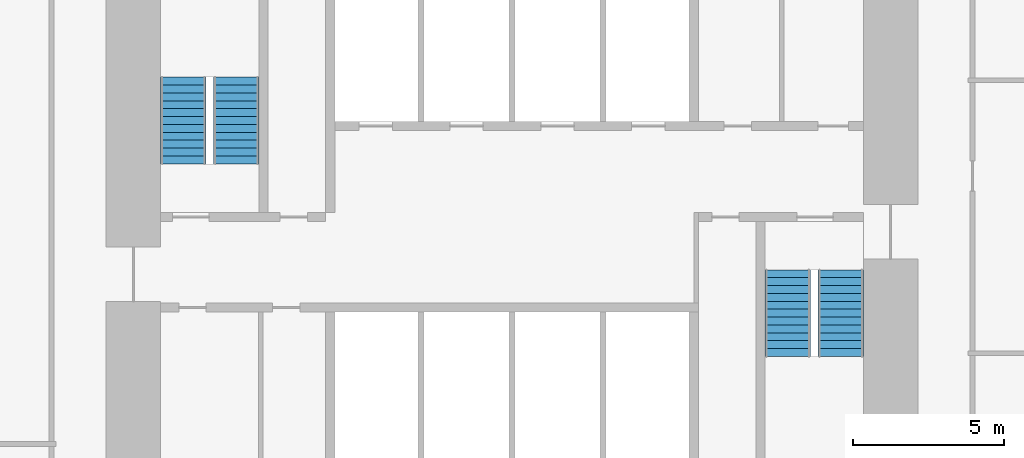
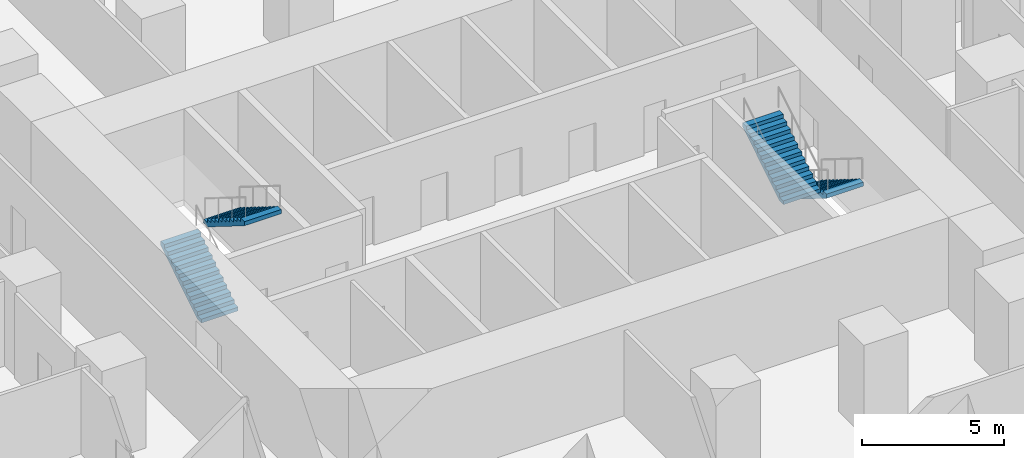
# One storey, part 11 of 12: 4 stair flights, 2 elements without a shape of their own.
"""IFC4 building model written with IfcOpenShell, lengths in metres."""

from ifc_helpers import new_model, si_unit, direction, frame, origin, place, context, subcontext, project, spatial, polyline, outline, extrude, material, type_object, element, aggregate, save


model = new_model("IFC4")

# Units and contexts
model_context = context("Model", 3, precision=1e-05, world=origin(), true_north=direction((0.0, 1.0)))
body_context = subcontext(model_context, "Body", "Model", "MODEL_VIEW")
ifc_project = project(units=[si_unit("LENGTHUNIT", "METRE"), si_unit("AREAUNIT", "SQUARE_METRE"), si_unit("VOLUMEUNIT", "CUBIC_METRE"), si_unit("PLANEANGLEUNIT", "RADIAN"), si_unit("MASSUNIT", "GRAM", prefix="KILO")], contexts=[model_context])

# Site, building, storey
site_placement = place(None, origin())
site = spatial("IfcSite", under=ifc_project, at=site_placement, CompositionType="ELEMENT")
building_placement = place(site_placement, origin())
building = spatial("IfcBuilding", under=site, at=building_placement, Name="Highveld Stack Headquarters", CompositionType="ELEMENT")
storey_placement = place(building_placement, frame((0.0, 0.0, 57.199951171875)))
storey = spatial("IfcBuildingStorey", under=building, at=storey_placement, Name="L13", CompositionType="ELEMENT", Elevation=57.199951171875)

# Stair, stair flights
ifc_material_1 = material(Name="Concrete C40/50, precast", Category="concrete")
stair_type_1 = type_object("IfcStairType", Name="STAIR S1 HALF TURN 1500", PredefinedType="HALF_TURN_STAIR", material=ifc_material_1)
stair_1_placement = place(storey_placement, origin())
stair_1 = element("IfcStair", 1, at=stair_1_placement, inside=storey, type_object=stair_type_1, Name="Stair S1 L13", PredefinedType="HALF_TURN_STAIR")
ifc_material_2 = material(Name="Concrete C40/50, precast", Category="concrete")
stair_flight_type = type_object("IfcStairFlightType", Name="STAIR FLIGHT 1500 PRECAST", PredefinedType="STRAIGHT", material=ifc_material_2)
stair_flight_1_placement = place(storey_placement, frame((-4.85009765625, 4.75, 0.0), z_axis=(0.0, 0.0, 1.0), x_axis=(0.0, 1.0, 0.0)))
stair_flight_1 = element("IfcStairFlight", 2, at=stair_flight_1_placement, type_object=stair_flight_type, Name="S1 flight 1", NumberOfRisers=12, NumberOfTreads=11, PredefinedType="STRAIGHT", RiserHeight=0.1625, TreadLength=0.26, context=body_context, shape_type="SweptSolid", body=[
    extrude(outline(polyline([(0.0, 0.0), (0.0, 0.16259765625), (0.260009765625, 0.16259765625), (0.260009765625, 0.324951171875), (0.52001953125, 0.324951171875), (0.52001953125, 0.487548828125), (0.780029296875, 0.487548828125), (0.780029296875, 0.64990234375), (1.0400390625, 0.64990234375), (1.0400390625, 0.8125), (1.300048828125, 0.8125), (1.300048828125, 0.97509765625), (1.56005859375, 0.97509765625), (1.56005859375, 1.137451171875), (1.820068359375, 1.137451171875), (1.820068359375, 1.300048828125), (2.080078125, 1.300048828125), (2.080078125, 1.46240234375), (2.340087890625, 1.46240234375), (2.340087890625, 1.625), (2.60009765625, 1.625), (2.60009765625, 1.78759765625), (2.860107421875, 1.78759765625), (2.860107421875, 1.949951171875), (2.860107421875, 1.61083984375), (0.28271484375, 0.0), (0.0, 0.0)])), frame((0.0, 0.75, 0.0), z_axis=(0.0, -1.0, 0.0), x_axis=(1.0, 0.0, 0.0)), (0.0, 0.0, 1.0), 1.5),
])
stair_flight_2_placement = place(storey_placement, frame((-3.10009765625, 7.610107421875, 1.949951171875), z_axis=(0.0, 0.0, 1.0), x_axis=(0.0, -1.0, 0.0)))
stair_flight_2 = element("IfcStairFlight", 3, at=stair_flight_2_placement, type_object=stair_flight_type, Name="S1 flight 2", NumberOfRisers=12, NumberOfTreads=11, PredefinedType="STRAIGHT", RiserHeight=0.1625, TreadLength=0.26, context=body_context, shape_type="SweptSolid", body=[
    extrude(outline(polyline([(0.0, 0.0), (0.0, 0.16259765625), (0.260009765625, 0.16259765625), (0.260009765625, 0.324951171875), (0.52001953125, 0.324951171875), (0.52001953125, 0.487548828125), (0.780029296875, 0.487548828125), (0.780029296875, 0.64990234375), (1.0400390625, 0.64990234375), (1.0400390625, 0.8125), (1.300048828125, 0.8125), (1.300048828125, 0.97509765625), (1.56005859375, 0.97509765625), (1.56005859375, 1.137451171875), (1.820068359375, 1.137451171875), (1.820068359375, 1.300048828125), (2.080078125, 1.300048828125), (2.080078125, 1.46240234375), (2.340087890625, 1.46240234375), (2.340087890625, 1.625), (2.60009765625, 1.625), (2.60009765625, 1.78759765625), (2.860107421875, 1.78759765625), (2.860107421875, 1.949951171875), (2.860107421875, 1.61083984375), (0.28271484375, 0.0), (0.0, 0.0)])), frame((0.0, 0.75, 0.0), z_axis=(0.0, -1.0, 0.0), x_axis=(1.0, 0.0, 0.0)), (0.0, 0.0, 1.0), 1.5),
])
aggregate(stair_1, [stair_flight_1, stair_flight_2])

ifc_material_3 = material(Name="Concrete C40/50, precast", Category="concrete")
stair_type_2 = type_object("IfcStairType", Name="STAIR S2 HALF TURN 1500", PredefinedType="HALF_TURN_STAIR", material=ifc_material_3)
stair_2_placement = place(storey_placement, origin())
stair_2 = element("IfcStair", 4, at=stair_2_placement, inside=storey, type_object=stair_type_2, Name="Stair S2 L13", PredefinedType="HALF_TURN_STAIR")
stair_flight_3_placement = place(storey_placement, frame((16.85009765625, 1.25, 0.0), z_axis=(0.0, 0.0, 1.0), x_axis=(0.0, -1.0, 0.0)))
stair_flight_3 = element("IfcStairFlight", 5, at=stair_flight_3_placement, type_object=stair_flight_type, Name="S2 flight 1", NumberOfRisers=12, NumberOfTreads=11, PredefinedType="STRAIGHT", RiserHeight=0.1625, TreadLength=0.26, context=body_context, shape_type="SweptSolid", body=[
    extrude(outline(polyline([(0.0, 0.0), (0.0, 0.16259765625), (0.260009765625, 0.16259765625), (0.260009765625, 0.324951171875), (0.52001953125, 0.324951171875), (0.52001953125, 0.487548828125), (0.780029296875, 0.487548828125), (0.780029296875, 0.64990234375), (1.0400390625, 0.64990234375), (1.0400390625, 0.8125), (1.300048828125, 0.8125), (1.300048828125, 0.97509765625), (1.56005859375, 0.97509765625), (1.56005859375, 1.137451171875), (1.820068359375, 1.137451171875), (1.820068359375, 1.300048828125), (2.080078125, 1.300048828125), (2.080078125, 1.46240234375), (2.340087890625, 1.46240234375), (2.340087890625, 1.625), (2.60009765625, 1.625), (2.60009765625, 1.78759765625), (2.860107421875, 1.78759765625), (2.860107421875, 1.949951171875), (2.860107421875, 1.61083984375), (0.28271484375, 0.0), (0.0, 0.0)])), frame((0.0, 0.75, 0.0), z_axis=(0.0, -1.0, 0.0), x_axis=(1.0, 0.0, 0.0)), (0.0, 0.0, 1.0), 1.5),
])
stair_flight_4_placement = place(storey_placement, frame((15.10009765625, -1.610107421875, 1.949951171875), z_axis=(0.0, 0.0, 1.0), x_axis=(0.0, 1.0, 0.0)))
stair_flight_4 = element("IfcStairFlight", 6, at=stair_flight_4_placement, type_object=stair_flight_type, Name="S2 flight 2", NumberOfRisers=12, NumberOfTreads=11, PredefinedType="STRAIGHT", RiserHeight=0.1625, TreadLength=0.26, context=body_context, shape_type="SweptSolid", body=[
    extrude(outline(polyline([(0.0, 0.0), (0.0, 0.16259765625), (0.260009765625, 0.16259765625), (0.260009765625, 0.324951171875), (0.52001953125, 0.324951171875), (0.52001953125, 0.487548828125), (0.780029296875, 0.487548828125), (0.780029296875, 0.64990234375), (1.0400390625, 0.64990234375), (1.0400390625, 0.8125), (1.300048828125, 0.8125), (1.300048828125, 0.97509765625), (1.56005859375, 0.97509765625), (1.56005859375, 1.137451171875), (1.820068359375, 1.137451171875), (1.820068359375, 1.300048828125), (2.080078125, 1.300048828125), (2.080078125, 1.46240234375), (2.340087890625, 1.46240234375), (2.340087890625, 1.625), (2.60009765625, 1.625), (2.60009765625, 1.78759765625), (2.860107421875, 1.78759765625), (2.860107421875, 1.949951171875), (2.860107421875, 1.61083984375), (0.28271484375, 0.0), (0.0, 0.0)])), frame((0.0, 0.75, 0.0), z_axis=(0.0, -1.0, 0.0), x_axis=(1.0, 0.0, 0.0)), (0.0, 0.0, 1.0), 1.5),
])
aggregate(stair_2, [stair_flight_3, stair_flight_4])

save(model, "model.ifc")
